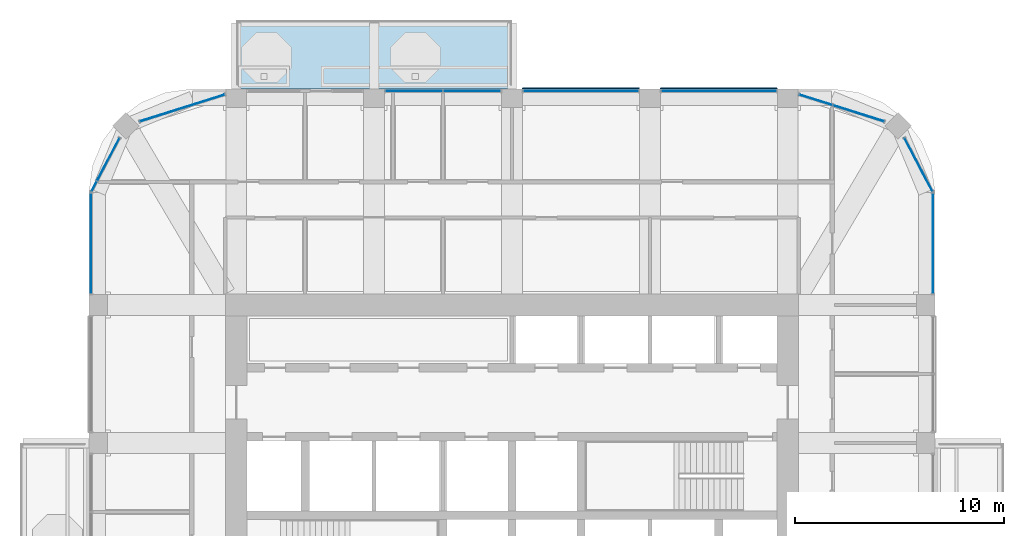
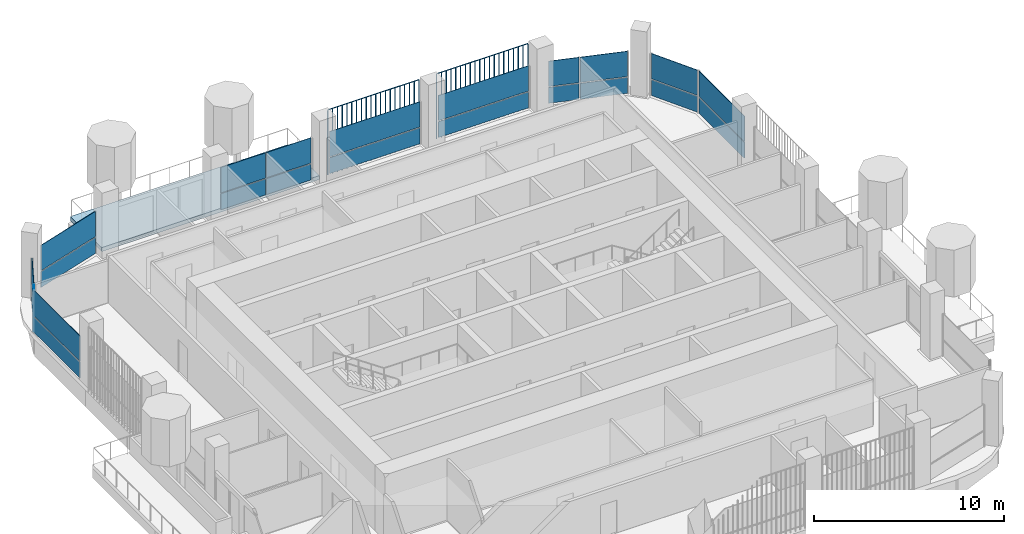
# One storey, part 11 of 20: 26 plates, 1 slab, 9 elements without a shape of their own.
"""IFC4 building model written with IfcOpenShell, lengths in metres."""

from ifc_helpers import new_model, si_unit, direction, frame, origin, origin_2d, place, context, subcontext, project, spatial, polyline, rectangle, outline, extrude, material, layer, layer_set, type_object, element, aggregate, save


model = new_model("IFC4")

# Units and contexts
model_context = context("Model", 3, precision=1e-05, world=origin(), true_north=direction((0.0, 1.0)))
body_context = subcontext(model_context, "Body", "Model", "MODEL_VIEW")
ifc_project = project(units=[si_unit("LENGTHUNIT", "METRE"), si_unit("AREAUNIT", "SQUARE_METRE"), si_unit("VOLUMEUNIT", "CUBIC_METRE"), si_unit("PLANEANGLEUNIT", "RADIAN"), si_unit("MASSUNIT", "GRAM", prefix="KILO")], contexts=[model_context])

# Site, building, storey
site_placement = place(None, origin())
site = spatial("IfcSite", under=ifc_project, at=site_placement, CompositionType="ELEMENT")
building_placement = place(site_placement, origin())
building = spatial("IfcBuilding", under=site, at=building_placement, Name="Cobogo Forest Laboratory Tower", CompositionType="ELEMENT")
storey_placement = place(building_placement, frame((0.0, 0.0, 279.60009765625)))
storey = spatial("IfcBuildingStorey", under=building, at=storey_placement, Name="L64", CompositionType="ELEMENT", Elevation=279.60009765625)

# Slab
ifc_material_1 = material(Name="Concrete HA-40 (C40/50)", Category="concrete")
ifc_layer_1 = layer(ifc_material_1, 0.25)
ifc_layer_set_1 = layer_set([ifc_layer_1], Name="Balcony slab 250")
slab_type = type_object("IfcSlabType", Name="Balcony slab 250", PredefinedType="FLOOR", material=ifc_layer_set_1)
slab_placement = place(storey_placement, frame((0.0, 0.0, -0.25)))
element("IfcSlab", 1, at=slab_placement, inside=storey, type_object=slab_type, Name="Balcony BAL-N1 L64", PredefinedType="FLOOR", context=body_context, shape_type="SweptSolid", body=[
    extrude(outline(polyline([(13.199951171875, 43.35009765625), (26.39990234375, 43.35009765625), (26.39990234375, 46.64990234375), (13.199951171875, 46.64990234375), (13.199951171875, 43.35009765625)])), origin(), (0.0, 0.0, 1.0), 0.25),
])

# Curtain wall, plates
ifc_material_2 = material(Name="Aluminium curtain wall", Category="aluminium")
curtain_wall_type = type_object("IfcCurtainWallType", Name="CW-2 unitised curtain wall, solar control glazing, laboratory floors zones C and D", PredefinedType="USERDEFINED", material=ifc_material_2)
curtain_wall_1_placement = place(storey_placement, origin())
curtain_wall_1 = element("IfcCurtainWall", 2, at=curtain_wall_1_placement, inside=storey, type_object=curtain_wall_type, Name="Curtain wall 11 L64", ObjectType="UNITISED CURTAIN WALL", PredefinedType="USERDEFINED")
ifc_material_3 = material(Name="Solar control insulated glass", Category="glass")
ifc_layer_2 = layer(ifc_material_3, 0.031982421875)
ifc_layer_set_2 = layer_set([ifc_layer_2], Name="GP-2 solar control glass unit 32")
plate_type_1 = type_object("IfcPlateType", Name="GP-2 solar control glass unit 32", PredefinedType="CURTAIN_PANEL", material=ifc_layer_set_2)
plate_1_placement = place(storey_placement, frame((46.550048828125, 35.949951171875, 0.0), z_axis=(0.0, 0.0, 1.0), x_axis=(0.0, 1.0, 0.0)))
plate_1 = element("IfcPlate", 3, at=plate_1_placement, type_object=plate_type_1, Name="CW-2 panel 1.1", PredefinedType="CURTAIN_PANEL", context=body_context, shape_type="SweptSolid", body=[
    extrude(rectangle(XDim=4.780029296875, YDim=0.031982421875, at=origin_2d()), origin(), (0.0, 0.0, 1.0), 1.02001953125),
])
plate_2_placement = place(storey_placement, frame((46.550048828125, 35.949951171875, 1.079833984375), z_axis=(0.0, 0.0, 1.0), x_axis=(0.0, 1.0, 0.0)))
plate_2 = element("IfcPlate", 4, at=plate_2_placement, type_object=plate_type_1, Name="CW-2 panel 1.2", PredefinedType="CURTAIN_PANEL", context=body_context, shape_type="SweptSolid", body=[
    extrude(rectangle(XDim=4.780029296875, YDim=0.031982421875, at=origin_2d()), origin(), (0.0, 0.0, 1.0), 1.6201171875),
])
aggregate(curtain_wall_1, [plate_1, plate_2])

curtain_wall_2_placement = place(storey_placement, origin())
curtain_wall_2 = element("IfcCurtainWall", 5, at=curtain_wall_2_placement, inside=storey, type_object=curtain_wall_type, Name="Curtain wall 12 L64", ObjectType="UNITISED CURTAIN WALL", PredefinedType="USERDEFINED")
plate_3_placement = place(storey_placement, frame((45.85693359375, 39.721923828125, 0.0), z_axis=(0.0, 0.0, 1.0), x_axis=(-0.464283778337, 0.885686498245, 0.0)))
plate_3 = element("IfcPlate", 6, at=plate_3_placement, type_object=plate_type_1, Name="CW-2 panel 1.1", PredefinedType="CURTAIN_PANEL", context=body_context, shape_type="SweptSolid", body=[
    extrude(rectangle(XDim=2.864990234375, YDim=0.031982421875, at=origin_2d()), origin(), (0.0, 0.0, 1.0), 1.02001953125),
])
plate_4_placement = place(storey_placement, frame((45.85693359375, 39.721923828125, 1.079833984375), z_axis=(0.0, 0.0, 1.0), x_axis=(-0.464283778337, 0.885686498245, 0.0)))
plate_4 = element("IfcPlate", 7, at=plate_4_placement, type_object=plate_type_1, Name="CW-2 panel 1.2", PredefinedType="CURTAIN_PANEL", context=body_context, shape_type="SweptSolid", body=[
    extrude(rectangle(XDim=2.864990234375, YDim=0.031982421875, at=origin_2d()), origin(), (0.0, 0.0, 1.0), 1.6201171875),
])
aggregate(curtain_wall_2, [plate_3, plate_4])

curtain_wall_3_placement = place(storey_placement, origin())
curtain_wall_3 = element("IfcCurtainWall", 8, at=curtain_wall_3_placement, inside=storey, type_object=curtain_wall_type, Name="Curtain wall 13 L64", ObjectType="UNITISED CURTAIN WALL", PredefinedType="USERDEFINED")
plate_5_placement = place(storey_placement, frame((42.989501953125, 42.1796875, 0.0), z_axis=(0.0, 0.0, 1.0), x_axis=(-0.953581379409, 0.301135439371, 0.0)))
plate_5 = element("IfcPlate", 9, at=plate_5_placement, type_object=plate_type_1, Name="CW-2 panel 1.1", PredefinedType="CURTAIN_PANEL", context=body_context, shape_type="SweptSolid", body=[
    extrude(rectangle(XDim=2.541748046875, YDim=0.031982421875, at=origin_2d()), origin(), (0.0, 0.0, 1.0), 1.02001953125),
])
plate_6_placement = place(storey_placement, frame((42.989501953125, 42.1796875, 1.079833984375), z_axis=(0.0, 0.0, 1.0), x_axis=(-0.953581379409, 0.301135439371, 0.0)))
plate_6 = element("IfcPlate", 10, at=plate_6_placement, type_object=plate_type_1, Name="CW-2 panel 1.2", PredefinedType="CURTAIN_PANEL", context=body_context, shape_type="SweptSolid", body=[
    extrude(rectangle(XDim=2.541748046875, YDim=0.031982421875, at=origin_2d()), origin(), (0.0, 0.0, 1.0), 1.6201171875),
])
plate_7_placement = place(storey_placement, frame((40.93896484375, 42.8271484375, 0.0), z_axis=(0.0, 0.0, 1.0), x_axis=(-0.953581379409, 0.301135439371, 0.0)))
plate_7 = element("IfcPlate", 11, at=plate_7_placement, type_object=plate_type_1, Name="CW-2 panel 2.1", PredefinedType="CURTAIN_PANEL", context=body_context, shape_type="SweptSolid", body=[
    extrude(rectangle(XDim=1.639404296875, YDim=0.031982421875, at=origin_2d()), origin(), (0.0, 0.0, 1.0), 1.02001953125),
])
plate_8_placement = place(storey_placement, frame((40.93896484375, 42.8271484375, 1.079833984375), z_axis=(0.0, 0.0, 1.0), x_axis=(-0.953581379409, 0.301135439371, 0.0)))
plate_8 = element("IfcPlate", 12, at=plate_8_placement, type_object=plate_type_1, Name="CW-2 panel 2.2", PredefinedType="CURTAIN_PANEL", context=body_context, shape_type="SweptSolid", body=[
    extrude(rectangle(XDim=1.639404296875, YDim=0.031982421875, at=origin_2d()), origin(), (0.0, 0.0, 1.0), 1.6201171875),
])
aggregate(curtain_wall_3, [plate_5, plate_6, plate_7, plate_8])

curtain_wall_4_placement = place(storey_placement, origin())
curtain_wall_4 = element("IfcCurtainWall", 13, at=curtain_wall_4_placement, inside=storey, type_object=curtain_wall_type, Name="Curtain wall 14 L64", ObjectType="UNITISED CURTAIN WALL", PredefinedType="USERDEFINED")
plate_9_placement = place(storey_placement, frame((36.300048828125, 43.25, 0.0), z_axis=(0.0, 0.0, 1.0), x_axis=(-1.0, 0.0, 0.0)))
plate_9 = element("IfcPlate", 14, at=plate_9_placement, type_object=plate_type_1, Name="CW-2 panel 1.1", PredefinedType="CURTAIN_PANEL", context=body_context, shape_type="SweptSolid", body=[
    extrude(rectangle(XDim=5.47998046875, YDim=0.031982421875, at=origin_2d()), origin(), (0.0, 0.0, 1.0), 1.02001953125),
])
plate_10_placement = place(storey_placement, frame((36.300048828125, 43.25, 1.079833984375), z_axis=(0.0, 0.0, 1.0), x_axis=(-1.0, 0.0, 0.0)))
plate_10 = element("IfcPlate", 15, at=plate_10_placement, type_object=plate_type_1, Name="CW-2 panel 1.2", PredefinedType="CURTAIN_PANEL", context=body_context, shape_type="SweptSolid", body=[
    extrude(rectangle(XDim=5.47998046875, YDim=0.031982421875, at=origin_2d()), origin(), (0.0, 0.0, 1.0), 1.6201171875),
])
aggregate(curtain_wall_4, [plate_9, plate_10])

curtain_wall_5_placement = place(storey_placement, origin())
curtain_wall_5 = element("IfcCurtainWall", 16, at=curtain_wall_5_placement, inside=storey, type_object=curtain_wall_type, Name="Curtain wall 15 L64", ObjectType="UNITISED CURTAIN WALL", PredefinedType="USERDEFINED")
plate_11_placement = place(storey_placement, frame((29.699951171875, 43.25, 0.0), z_axis=(0.0, 0.0, 1.0), x_axis=(-1.0, 0.0, 0.0)))
plate_11 = element("IfcPlate", 17, at=plate_11_placement, type_object=plate_type_1, Name="CW-2 panel 1.1", PredefinedType="CURTAIN_PANEL", context=body_context, shape_type="SweptSolid", body=[
    extrude(rectangle(XDim=5.47998046875, YDim=0.031982421875, at=origin_2d()), origin(), (0.0, 0.0, 1.0), 1.02001953125),
])
plate_12_placement = place(storey_placement, frame((29.699951171875, 43.25, 1.079833984375), z_axis=(0.0, 0.0, 1.0), x_axis=(-1.0, 0.0, 0.0)))
plate_12 = element("IfcPlate", 18, at=plate_12_placement, type_object=plate_type_1, Name="CW-2 panel 1.2", PredefinedType="CURTAIN_PANEL", context=body_context, shape_type="SweptSolid", body=[
    extrude(rectangle(XDim=5.47998046875, YDim=0.031982421875, at=origin_2d()), origin(), (0.0, 0.0, 1.0), 1.6201171875),
])
aggregate(curtain_wall_5, [plate_11, plate_12])

curtain_wall_6_placement = place(storey_placement, origin())
curtain_wall_6 = element("IfcCurtainWall", 19, at=curtain_wall_6_placement, inside=storey, type_object=curtain_wall_type, Name="Curtain wall 16 L64", ObjectType="UNITISED CURTAIN WALL", PredefinedType="USERDEFINED")
plate_13_placement = place(storey_placement, frame((24.485107421875, 43.25, 0.0), z_axis=(0.0, 0.0, 1.0), x_axis=(-1.0, 0.0, 0.0)))
plate_13 = element("IfcPlate", 20, at=plate_13_placement, type_object=plate_type_1, Name="CW-2 panel 1.1", PredefinedType="CURTAIN_PANEL", context=body_context, shape_type="SweptSolid", body=[
    extrude(rectangle(XDim=2.7099609375, YDim=0.031982421875, at=origin_2d()), origin(), (0.0, 0.0, 1.0), 1.02001953125),
])
plate_14_placement = place(storey_placement, frame((24.485107421875, 43.25, 1.079833984375), z_axis=(0.0, 0.0, 1.0), x_axis=(-1.0, 0.0, 0.0)))
plate_14 = element("IfcPlate", 21, at=plate_14_placement, type_object=plate_type_1, Name="CW-2 panel 1.2", PredefinedType="CURTAIN_PANEL", context=body_context, shape_type="SweptSolid", body=[
    extrude(rectangle(XDim=2.7099609375, YDim=0.031982421875, at=origin_2d()), origin(), (0.0, 0.0, 1.0), 1.6201171875),
])
plate_15_placement = place(storey_placement, frame((21.715087890625, 43.25, 0.0), z_axis=(0.0, 0.0, 1.0), x_axis=(-1.0, 0.0, 0.0)))
plate_15 = element("IfcPlate", 22, at=plate_15_placement, type_object=plate_type_1, Name="CW-2 panel 2.1", PredefinedType="CURTAIN_PANEL", context=body_context, shape_type="SweptSolid", body=[
    extrude(rectangle(XDim=2.7099609375, YDim=0.031982421875, at=origin_2d()), origin(), (0.0, 0.0, 1.0), 1.02001953125),
])
plate_16_placement = place(storey_placement, frame((21.715087890625, 43.25, 1.079833984375), z_axis=(0.0, 0.0, 1.0), x_axis=(-1.0, 0.0, 0.0)))
plate_16 = element("IfcPlate", 23, at=plate_16_placement, type_object=plate_type_1, Name="CW-2 panel 2.2", PredefinedType="CURTAIN_PANEL", context=body_context, shape_type="SweptSolid", body=[
    extrude(rectangle(XDim=2.7099609375, YDim=0.031982421875, at=origin_2d()), origin(), (0.0, 0.0, 1.0), 1.6201171875),
])
aggregate(curtain_wall_6, [plate_13, plate_14, plate_15, plate_16])

curtain_wall_7_placement = place(storey_placement, origin())
curtain_wall_7 = element("IfcCurtainWall", 24, at=curtain_wall_7_placement, inside=storey, type_object=curtain_wall_type, Name="Curtain wall 18 L64", ObjectType="UNITISED CURTAIN WALL", PredefinedType="USERDEFINED")
plate_17_placement = place(storey_placement, frame((10.62060546875, 42.435546875, 0.0), z_axis=(0.0, 0.0, 1.0), x_axis=(-0.953581379409, -0.301135439371, 0.0)))
plate_17 = element("IfcPlate", 25, at=plate_17_placement, type_object=plate_type_1, Name="CW-2 panel 1.1", PredefinedType="CURTAIN_PANEL", context=body_context, shape_type="SweptSolid", body=[
    extrude(rectangle(XDim=4.240966796875, YDim=0.031982421875, at=origin_2d()), origin(), (0.0, 0.0, 1.0), 1.02001953125),
])
plate_18_placement = place(storey_placement, frame((10.62060546875, 42.435546875, 1.079833984375), z_axis=(0.0, 0.0, 1.0), x_axis=(-0.953581379409, -0.301135439371, 0.0)))
plate_18 = element("IfcPlate", 26, at=plate_18_placement, type_object=plate_type_1, Name="CW-2 panel 1.2", PredefinedType="CURTAIN_PANEL", context=body_context, shape_type="SweptSolid", body=[
    extrude(rectangle(XDim=4.240966796875, YDim=0.031982421875, at=origin_2d()), origin(), (0.0, 0.0, 1.0), 1.6201171875),
])
aggregate(curtain_wall_7, [plate_17, plate_18])

curtain_wall_8_placement = place(storey_placement, origin())
curtain_wall_8 = element("IfcCurtainWall", 27, at=curtain_wall_8_placement, inside=storey, type_object=curtain_wall_type, Name="Curtain wall 19 L64", ObjectType="UNITISED CURTAIN WALL", PredefinedType="USERDEFINED")
plate_19_placement = place(storey_placement, frame((7.076904296875, 39.977294921875, 0.0), z_axis=(0.0, 0.0, 1.0), x_axis=(-0.464283778337, -0.885686498245, 0.0)))
plate_19 = element("IfcPlate", 28, at=plate_19_placement, type_object=plate_type_1, Name="CW-2 panel 1.1", PredefinedType="CURTAIN_PANEL", context=body_context, shape_type="SweptSolid", body=[
    extrude(rectangle(XDim=2.28857421875, YDim=0.031982421875, at=origin_2d()), origin(), (0.0, 0.0, 1.0), 1.02001953125),
])
plate_20_placement = place(storey_placement, frame((7.076904296875, 39.977294921875, 1.079833984375), z_axis=(0.0, 0.0, 1.0), x_axis=(-0.464283778337, -0.885686498245, 0.0)))
plate_20 = element("IfcPlate", 29, at=plate_20_placement, type_object=plate_type_1, Name="CW-2 panel 1.2", PredefinedType="CURTAIN_PANEL", context=body_context, shape_type="SweptSolid", body=[
    extrude(rectangle(XDim=2.28857421875, YDim=0.031982421875, at=origin_2d()), origin(), (0.0, 0.0, 1.0), 1.6201171875),
])
plate_21_placement = place(storey_placement, frame((6.397705078125, 38.681884765625, 0.0), z_axis=(0.0, 0.0, 1.0), x_axis=(-0.464283778337, -0.885686498245, 0.0)))
plate_21 = element("IfcPlate", 30, at=plate_21_placement, type_object=plate_type_1, Name="CW-2 panel 2.1", PredefinedType="CURTAIN_PANEL", context=body_context, shape_type="SweptSolid", body=[
    extrude(rectangle(XDim=0.516357421875, YDim=0.031982421875, at=origin_2d()), origin(), (0.0, 0.0, 1.0), 1.02001953125),
])
plate_22_placement = place(storey_placement, frame((6.397705078125, 38.681884765625, 1.079833984375), z_axis=(0.0, 0.0, 1.0), x_axis=(-0.464283778337, -0.885686498245, 0.0)))
plate_22 = element("IfcPlate", 31, at=plate_22_placement, type_object=plate_type_1, Name="CW-2 panel 2.2", PredefinedType="CURTAIN_PANEL", context=body_context, shape_type="SweptSolid", body=[
    extrude(rectangle(XDim=0.516357421875, YDim=0.031982421875, at=origin_2d()), origin(), (0.0, 0.0, 1.0), 1.6201171875),
])
aggregate(curtain_wall_8, [plate_19, plate_20, plate_21, plate_22])

curtain_wall_9_placement = place(storey_placement, origin())
curtain_wall_9 = element("IfcCurtainWall", 32, at=curtain_wall_9_placement, inside=storey, type_object=curtain_wall_type, Name="Curtain wall 20 L64", ObjectType="UNITISED CURTAIN WALL", PredefinedType="USERDEFINED")
plate_23_placement = place(storey_placement, frame((6.25, 35.949951171875, 0.0), z_axis=(0.0, 0.0, 1.0), x_axis=(0.0, -1.0, 0.0)))
plate_23 = element("IfcPlate", 33, at=plate_23_placement, type_object=plate_type_1, Name="CW-2 panel 1.1", PredefinedType="CURTAIN_PANEL", context=body_context, shape_type="SweptSolid", body=[
    extrude(rectangle(XDim=4.780029296875, YDim=0.031982421875, at=origin_2d()), origin(), (0.0, 0.0, 1.0), 1.02001953125),
])
plate_24_placement = place(storey_placement, frame((6.25, 35.949951171875, 1.079833984375), z_axis=(0.0, 0.0, 1.0), x_axis=(0.0, -1.0, 0.0)))
plate_24 = element("IfcPlate", 34, at=plate_24_placement, type_object=plate_type_1, Name="CW-2 panel 1.2", PredefinedType="CURTAIN_PANEL", context=body_context, shape_type="SweptSolid", body=[
    extrude(rectangle(XDim=4.780029296875, YDim=0.031982421875, at=origin_2d()), origin(), (0.0, 0.0, 1.0), 1.6201171875),
])
aggregate(curtain_wall_9, [plate_23, plate_24])

# Plates
ifc_material_4 = material(Name="Terracotta", Category="masonry")
plate_type_2 = type_object("IfcPlateType", Name="TB1 terracotta baguette screen", PredefinedType="USERDEFINED", material=ifc_material_4)
plate_25_placement = place(storey_placement, frame((26.93115234375, 43.3779296875, -0.150146484375)))
element("IfcPlate", 35, at=plate_25_placement, inside=storey, type_object=plate_type_2, Name="Baguette screen N3 L64", ObjectType="BAGUETTE SCREEN", PredefinedType="USERDEFINED", context=body_context, shape_type="SweptSolid", body=[
    extrude(outline(polyline([(0.02880859375, 0.011962890625), (0.011962890625, 0.02880859375), (-0.011962890625, 0.02880859375), (-0.02880859375, 0.011962890625), (-0.02880859375, -0.011962890625), (-0.011962890625, -0.02880859375), (0.011962890625, -0.02880859375), (0.02880859375, -0.011962890625), (0.02880859375, 0.011962890625)])), frame((0.0, 0.0, 4.168701171875), z_axis=(1.0, 0.0, 0.0), x_axis=(0.0, 1.0, 0.0)), (0.0, 0.0, 1.0), 5.53759765625),
    extrude(outline(polyline([(0.02880859375, 0.011962890625), (0.011962890625, 0.02880859375), (-0.011962890625, 0.02880859375), (-0.02880859375, 0.011962890625), (-0.02880859375, -0.011962890625), (-0.011962890625, -0.02880859375), (0.011962890625, -0.02880859375), (0.02880859375, -0.011962890625), (0.02880859375, 0.011962890625)])), origin(), (0.0, 0.0, 1.0), 4.137451171875),
    extrude(outline(polyline([(0.02880859375, 0.011962890625), (0.011962890625, 0.02880859375), (-0.011962890625, 0.02880859375), (-0.02880859375, 0.011962890625), (-0.02880859375, -0.011962890625), (-0.011962890625, -0.02880859375), (0.011962890625, -0.02880859375), (0.02880859375, -0.011962890625), (0.02880859375, 0.011962890625)])), frame((0.29150390625, 0.0, 0.0)), (0.0, 0.0, 1.0), 4.137451171875),
    extrude(outline(polyline([(0.02880859375, 0.011962890625), (0.011962890625, 0.02880859375), (-0.011962890625, 0.02880859375), (-0.02880859375, 0.011962890625), (-0.02880859375, -0.011962890625), (-0.011962890625, -0.02880859375), (0.011962890625, -0.02880859375), (0.02880859375, -0.011962890625), (0.02880859375, 0.011962890625)])), frame((0.5830078125, 0.0, 0.0)), (0.0, 0.0, 1.0), 4.137451171875),
    extrude(outline(polyline([(0.02880859375, 0.011962890625), (0.011962890625, 0.02880859375), (-0.011962890625, 0.02880859375), (-0.02880859375, 0.011962890625), (-0.02880859375, -0.011962890625), (-0.011962890625, -0.02880859375), (0.011962890625, -0.02880859375), (0.02880859375, -0.011962890625), (0.02880859375, 0.011962890625)])), frame((0.874267578125, 0.0, 0.0)), (0.0, 0.0, 1.0), 4.137451171875),
    extrude(outline(polyline([(0.02880859375, 0.011962890625), (0.011962890625, 0.02880859375), (-0.011962890625, 0.02880859375), (-0.02880859375, 0.011962890625), (-0.02880859375, -0.011962890625), (-0.011962890625, -0.02880859375), (0.011962890625, -0.02880859375), (0.02880859375, -0.011962890625), (0.02880859375, 0.011962890625)])), frame((1.165771484375, 0.0, 0.0)), (0.0, 0.0, 1.0), 4.137451171875),
    extrude(outline(polyline([(0.02880859375, 0.011962890625), (0.011962890625, 0.02880859375), (-0.011962890625, 0.02880859375), (-0.02880859375, 0.011962890625), (-0.02880859375, -0.011962890625), (-0.011962890625, -0.02880859375), (0.011962890625, -0.02880859375), (0.02880859375, -0.011962890625), (0.02880859375, 0.011962890625)])), frame((1.457275390625, 0.0, 0.0)), (0.0, 0.0, 1.0), 4.137451171875),
    extrude(outline(polyline([(0.02880859375, 0.011962890625), (0.011962890625, 0.02880859375), (-0.011962890625, 0.02880859375), (-0.02880859375, 0.011962890625), (-0.02880859375, -0.011962890625), (-0.011962890625, -0.02880859375), (0.011962890625, -0.02880859375), (0.02880859375, -0.011962890625), (0.02880859375, 0.011962890625)])), frame((1.748779296875, 0.0, 0.0)), (0.0, 0.0, 1.0), 4.137451171875),
    extrude(outline(polyline([(0.02880859375, 0.011962890625), (0.011962890625, 0.02880859375), (-0.011962890625, 0.02880859375), (-0.02880859375, 0.011962890625), (-0.02880859375, -0.011962890625), (-0.011962890625, -0.02880859375), (0.011962890625, -0.02880859375), (0.02880859375, -0.011962890625), (0.02880859375, 0.011962890625)])), frame((2.040283203125, 0.0, 0.0)), (0.0, 0.0, 1.0), 4.137451171875),
    extrude(outline(polyline([(0.02880859375, 0.011962890625), (0.011962890625, 0.02880859375), (-0.011962890625, 0.02880859375), (-0.02880859375, 0.011962890625), (-0.02880859375, -0.011962890625), (-0.011962890625, -0.02880859375), (0.011962890625, -0.02880859375), (0.02880859375, -0.011962890625), (0.02880859375, 0.011962890625)])), frame((2.33154296875, 0.0, 0.0)), (0.0, 0.0, 1.0), 4.137451171875),
    extrude(outline(polyline([(0.02880859375, 0.011962890625), (0.011962890625, 0.02880859375), (-0.011962890625, 0.02880859375), (-0.02880859375, 0.011962890625), (-0.02880859375, -0.011962890625), (-0.011962890625, -0.02880859375), (0.011962890625, -0.02880859375), (0.02880859375, -0.011962890625), (0.02880859375, 0.011962890625)])), frame((2.623046875, 0.0, 0.0)), (0.0, 0.0, 1.0), 4.137451171875),
    extrude(outline(polyline([(0.02880859375, 0.011962890625), (0.011962890625, 0.02880859375), (-0.011962890625, 0.02880859375), (-0.02880859375, 0.011962890625), (-0.02880859375, -0.011962890625), (-0.011962890625, -0.02880859375), (0.011962890625, -0.02880859375), (0.02880859375, -0.011962890625), (0.02880859375, 0.011962890625)])), frame((2.91455078125, 0.0, 0.0)), (0.0, 0.0, 1.0), 4.137451171875),
    extrude(outline(polyline([(0.02880859375, 0.011962890625), (0.011962890625, 0.02880859375), (-0.011962890625, 0.02880859375), (-0.02880859375, 0.011962890625), (-0.02880859375, -0.011962890625), (-0.011962890625, -0.02880859375), (0.011962890625, -0.02880859375), (0.02880859375, -0.011962890625), (0.02880859375, 0.011962890625)])), frame((3.2060546875, 0.0, 0.0)), (0.0, 0.0, 1.0), 4.137451171875),
    extrude(outline(polyline([(0.02880859375, 0.011962890625), (0.011962890625, 0.02880859375), (-0.011962890625, 0.02880859375), (-0.02880859375, 0.011962890625), (-0.02880859375, -0.011962890625), (-0.011962890625, -0.02880859375), (0.011962890625, -0.02880859375), (0.02880859375, -0.011962890625), (0.02880859375, 0.011962890625)])), frame((3.497314453125, 0.0, 0.0)), (0.0, 0.0, 1.0), 4.137451171875),
    extrude(outline(polyline([(0.02880859375, 0.011962890625), (0.011962890625, 0.02880859375), (-0.011962890625, 0.02880859375), (-0.02880859375, 0.011962890625), (-0.02880859375, -0.011962890625), (-0.011962890625, -0.02880859375), (0.011962890625, -0.02880859375), (0.02880859375, -0.011962890625), (0.02880859375, 0.011962890625)])), frame((3.788818359375, 0.0, 0.0)), (0.0, 0.0, 1.0), 4.137451171875),
    extrude(outline(polyline([(0.02880859375, 0.011962890625), (0.011962890625, 0.02880859375), (-0.011962890625, 0.02880859375), (-0.02880859375, 0.011962890625), (-0.02880859375, -0.011962890625), (-0.011962890625, -0.02880859375), (0.011962890625, -0.02880859375), (0.02880859375, -0.011962890625), (0.02880859375, 0.011962890625)])), frame((4.080322265625, 0.0, 0.0)), (0.0, 0.0, 1.0), 4.137451171875),
    extrude(outline(polyline([(0.02880859375, 0.011962890625), (0.011962890625, 0.02880859375), (-0.011962890625, 0.02880859375), (-0.02880859375, 0.011962890625), (-0.02880859375, -0.011962890625), (-0.011962890625, -0.02880859375), (0.011962890625, -0.02880859375), (0.02880859375, -0.011962890625), (0.02880859375, 0.011962890625)])), frame((4.371826171875, 0.0, 0.0)), (0.0, 0.0, 1.0), 4.137451171875),
    extrude(outline(polyline([(0.02880859375, 0.011962890625), (0.011962890625, 0.02880859375), (-0.011962890625, 0.02880859375), (-0.02880859375, 0.011962890625), (-0.02880859375, -0.011962890625), (-0.011962890625, -0.02880859375), (0.011962890625, -0.02880859375), (0.02880859375, -0.011962890625), (0.02880859375, 0.011962890625)])), frame((4.663330078125, 0.0, 0.0)), (0.0, 0.0, 1.0), 4.137451171875),
    extrude(outline(polyline([(0.02880859375, 0.011962890625), (0.011962890625, 0.02880859375), (-0.011962890625, 0.02880859375), (-0.02880859375, 0.011962890625), (-0.02880859375, -0.011962890625), (-0.011962890625, -0.02880859375), (0.011962890625, -0.02880859375), (0.02880859375, -0.011962890625), (0.02880859375, 0.011962890625)])), frame((4.95458984375, 0.0, 0.0)), (0.0, 0.0, 1.0), 4.137451171875),
    extrude(outline(polyline([(0.02880859375, 0.011962890625), (0.011962890625, 0.02880859375), (-0.011962890625, 0.02880859375), (-0.02880859375, 0.011962890625), (-0.02880859375, -0.011962890625), (-0.011962890625, -0.02880859375), (0.011962890625, -0.02880859375), (0.02880859375, -0.011962890625), (0.02880859375, 0.011962890625)])), frame((5.24609375, 0.0, 0.0)), (0.0, 0.0, 1.0), 4.137451171875),
    extrude(outline(polyline([(0.02880859375, 0.011962890625), (0.011962890625, 0.02880859375), (-0.011962890625, 0.02880859375), (-0.02880859375, 0.011962890625), (-0.02880859375, -0.011962890625), (-0.011962890625, -0.02880859375), (0.011962890625, -0.02880859375), (0.02880859375, -0.011962890625), (0.02880859375, 0.011962890625)])), frame((5.53759765625, 0.0, 0.0)), (0.0, 0.0, 1.0), 4.137451171875),
])
plate_26_placement = place(storey_placement, frame((33.53125, 43.3779296875, -0.150146484375)))
element("IfcPlate", 36, at=plate_26_placement, inside=storey, type_object=plate_type_2, Name="Baguette screen N4 L64", ObjectType="BAGUETTE SCREEN", PredefinedType="USERDEFINED", context=body_context, shape_type="SweptSolid", body=[
    extrude(outline(polyline([(0.02880859375, 0.011962890625), (0.011962890625, 0.02880859375), (-0.011962890625, 0.02880859375), (-0.02880859375, 0.011962890625), (-0.02880859375, -0.011962890625), (-0.011962890625, -0.02880859375), (0.011962890625, -0.02880859375), (0.02880859375, -0.011962890625), (0.02880859375, 0.011962890625)])), frame((0.0, 0.0, 4.168701171875), z_axis=(1.0, 0.0, 0.0), x_axis=(0.0, 1.0, 0.0)), (0.0, 0.0, 1.0), 5.53759765625),
    extrude(outline(polyline([(0.02880859375, 0.011962890625), (0.011962890625, 0.02880859375), (-0.011962890625, 0.02880859375), (-0.02880859375, 0.011962890625), (-0.02880859375, -0.011962890625), (-0.011962890625, -0.02880859375), (0.011962890625, -0.02880859375), (0.02880859375, -0.011962890625), (0.02880859375, 0.011962890625)])), origin(), (0.0, 0.0, 1.0), 4.137451171875),
    extrude(outline(polyline([(0.02880859375, 0.011962890625), (0.011962890625, 0.02880859375), (-0.011962890625, 0.02880859375), (-0.02880859375, 0.011962890625), (-0.02880859375, -0.011962890625), (-0.011962890625, -0.02880859375), (0.011962890625, -0.02880859375), (0.02880859375, -0.011962890625), (0.02880859375, 0.011962890625)])), frame((0.29150390625, 0.0, 0.0)), (0.0, 0.0, 1.0), 4.137451171875),
    extrude(outline(polyline([(0.02880859375, 0.011962890625), (0.011962890625, 0.02880859375), (-0.011962890625, 0.02880859375), (-0.02880859375, 0.011962890625), (-0.02880859375, -0.011962890625), (-0.011962890625, -0.02880859375), (0.011962890625, -0.02880859375), (0.02880859375, -0.011962890625), (0.02880859375, 0.011962890625)])), frame((0.5830078125, 0.0, 0.0)), (0.0, 0.0, 1.0), 4.137451171875),
    extrude(outline(polyline([(0.02880859375, 0.011962890625), (0.011962890625, 0.02880859375), (-0.011962890625, 0.02880859375), (-0.02880859375, 0.011962890625), (-0.02880859375, -0.011962890625), (-0.011962890625, -0.02880859375), (0.011962890625, -0.02880859375), (0.02880859375, -0.011962890625), (0.02880859375, 0.011962890625)])), frame((0.874267578125, 0.0, 0.0)), (0.0, 0.0, 1.0), 4.137451171875),
    extrude(outline(polyline([(0.02880859375, 0.011962890625), (0.011962890625, 0.02880859375), (-0.011962890625, 0.02880859375), (-0.02880859375, 0.011962890625), (-0.02880859375, -0.011962890625), (-0.011962890625, -0.02880859375), (0.011962890625, -0.02880859375), (0.02880859375, -0.011962890625), (0.02880859375, 0.011962890625)])), frame((1.165771484375, 0.0, 0.0)), (0.0, 0.0, 1.0), 4.137451171875),
    extrude(outline(polyline([(0.02880859375, 0.011962890625), (0.011962890625, 0.02880859375), (-0.011962890625, 0.02880859375), (-0.02880859375, 0.011962890625), (-0.02880859375, -0.011962890625), (-0.011962890625, -0.02880859375), (0.011962890625, -0.02880859375), (0.02880859375, -0.011962890625), (0.02880859375, 0.011962890625)])), frame((1.457275390625, 0.0, 0.0)), (0.0, 0.0, 1.0), 4.137451171875),
    extrude(outline(polyline([(0.02880859375, 0.011962890625), (0.011962890625, 0.02880859375), (-0.011962890625, 0.02880859375), (-0.02880859375, 0.011962890625), (-0.02880859375, -0.011962890625), (-0.011962890625, -0.02880859375), (0.011962890625, -0.02880859375), (0.02880859375, -0.011962890625), (0.02880859375, 0.011962890625)])), frame((1.748779296875, 0.0, 0.0)), (0.0, 0.0, 1.0), 4.137451171875),
    extrude(outline(polyline([(0.02880859375, 0.011962890625), (0.011962890625, 0.02880859375), (-0.011962890625, 0.02880859375), (-0.02880859375, 0.011962890625), (-0.02880859375, -0.011962890625), (-0.011962890625, -0.02880859375), (0.011962890625, -0.02880859375), (0.02880859375, -0.011962890625), (0.02880859375, 0.011962890625)])), frame((2.040283203125, 0.0, 0.0)), (0.0, 0.0, 1.0), 4.137451171875),
    extrude(outline(polyline([(0.02880859375, 0.011962890625), (0.011962890625, 0.02880859375), (-0.011962890625, 0.02880859375), (-0.02880859375, 0.011962890625), (-0.02880859375, -0.011962890625), (-0.011962890625, -0.02880859375), (0.011962890625, -0.02880859375), (0.02880859375, -0.011962890625), (0.02880859375, 0.011962890625)])), frame((2.33154296875, 0.0, 0.0)), (0.0, 0.0, 1.0), 4.137451171875),
    extrude(outline(polyline([(0.02880859375, 0.011962890625), (0.011962890625, 0.02880859375), (-0.011962890625, 0.02880859375), (-0.02880859375, 0.011962890625), (-0.02880859375, -0.011962890625), (-0.011962890625, -0.02880859375), (0.011962890625, -0.02880859375), (0.02880859375, -0.011962890625), (0.02880859375, 0.011962890625)])), frame((2.623046875, 0.0, 0.0)), (0.0, 0.0, 1.0), 4.137451171875),
    extrude(outline(polyline([(0.02880859375, 0.011962890625), (0.011962890625, 0.02880859375), (-0.011962890625, 0.02880859375), (-0.02880859375, 0.011962890625), (-0.02880859375, -0.011962890625), (-0.011962890625, -0.02880859375), (0.011962890625, -0.02880859375), (0.02880859375, -0.011962890625), (0.02880859375, 0.011962890625)])), frame((2.91455078125, 0.0, 0.0)), (0.0, 0.0, 1.0), 4.137451171875),
    extrude(outline(polyline([(0.02880859375, 0.011962890625), (0.011962890625, 0.02880859375), (-0.011962890625, 0.02880859375), (-0.02880859375, 0.011962890625), (-0.02880859375, -0.011962890625), (-0.011962890625, -0.02880859375), (0.011962890625, -0.02880859375), (0.02880859375, -0.011962890625), (0.02880859375, 0.011962890625)])), frame((3.2060546875, 0.0, 0.0)), (0.0, 0.0, 1.0), 4.137451171875),
    extrude(outline(polyline([(0.02880859375, 0.011962890625), (0.011962890625, 0.02880859375), (-0.011962890625, 0.02880859375), (-0.02880859375, 0.011962890625), (-0.02880859375, -0.011962890625), (-0.011962890625, -0.02880859375), (0.011962890625, -0.02880859375), (0.02880859375, -0.011962890625), (0.02880859375, 0.011962890625)])), frame((3.497314453125, 0.0, 0.0)), (0.0, 0.0, 1.0), 4.137451171875),
    extrude(outline(polyline([(0.02880859375, 0.011962890625), (0.011962890625, 0.02880859375), (-0.011962890625, 0.02880859375), (-0.02880859375, 0.011962890625), (-0.02880859375, -0.011962890625), (-0.011962890625, -0.02880859375), (0.011962890625, -0.02880859375), (0.02880859375, -0.011962890625), (0.02880859375, 0.011962890625)])), frame((3.788818359375, 0.0, 0.0)), (0.0, 0.0, 1.0), 4.137451171875),
    extrude(outline(polyline([(0.02880859375, 0.011962890625), (0.011962890625, 0.02880859375), (-0.011962890625, 0.02880859375), (-0.02880859375, 0.011962890625), (-0.02880859375, -0.011962890625), (-0.011962890625, -0.02880859375), (0.011962890625, -0.02880859375), (0.02880859375, -0.011962890625), (0.02880859375, 0.011962890625)])), frame((4.080322265625, 0.0, 0.0)), (0.0, 0.0, 1.0), 4.137451171875),
    extrude(outline(polyline([(0.02880859375, 0.011962890625), (0.011962890625, 0.02880859375), (-0.011962890625, 0.02880859375), (-0.02880859375, 0.011962890625), (-0.02880859375, -0.011962890625), (-0.011962890625, -0.02880859375), (0.011962890625, -0.02880859375), (0.02880859375, -0.011962890625), (0.02880859375, 0.011962890625)])), frame((4.371826171875, 0.0, 0.0)), (0.0, 0.0, 1.0), 4.137451171875),
    extrude(outline(polyline([(0.02880859375, 0.011962890625), (0.011962890625, 0.02880859375), (-0.011962890625, 0.02880859375), (-0.02880859375, 0.011962890625), (-0.02880859375, -0.011962890625), (-0.011962890625, -0.02880859375), (0.011962890625, -0.02880859375), (0.02880859375, -0.011962890625), (0.02880859375, 0.011962890625)])), frame((4.663330078125, 0.0, 0.0)), (0.0, 0.0, 1.0), 4.137451171875),
    extrude(outline(polyline([(0.02880859375, 0.011962890625), (0.011962890625, 0.02880859375), (-0.011962890625, 0.02880859375), (-0.02880859375, 0.011962890625), (-0.02880859375, -0.011962890625), (-0.011962890625, -0.02880859375), (0.011962890625, -0.02880859375), (0.02880859375, -0.011962890625), (0.02880859375, 0.011962890625)])), frame((4.95458984375, 0.0, 0.0)), (0.0, 0.0, 1.0), 4.137451171875),
    extrude(outline(polyline([(0.02880859375, 0.011962890625), (0.011962890625, 0.02880859375), (-0.011962890625, 0.02880859375), (-0.02880859375, 0.011962890625), (-0.02880859375, -0.011962890625), (-0.011962890625, -0.02880859375), (0.011962890625, -0.02880859375), (0.02880859375, -0.011962890625), (0.02880859375, 0.011962890625)])), frame((5.24609375, 0.0, 0.0)), (0.0, 0.0, 1.0), 4.137451171875),
    extrude(outline(polyline([(0.02880859375, 0.011962890625), (0.011962890625, 0.02880859375), (-0.011962890625, 0.02880859375), (-0.02880859375, 0.011962890625), (-0.02880859375, -0.011962890625), (-0.011962890625, -0.02880859375), (0.011962890625, -0.02880859375), (0.02880859375, -0.011962890625), (0.02880859375, 0.011962890625)])), frame((5.53759765625, 0.0, 0.0)), (0.0, 0.0, 1.0), 4.137451171875),
])

save(model, "model.ifc")
